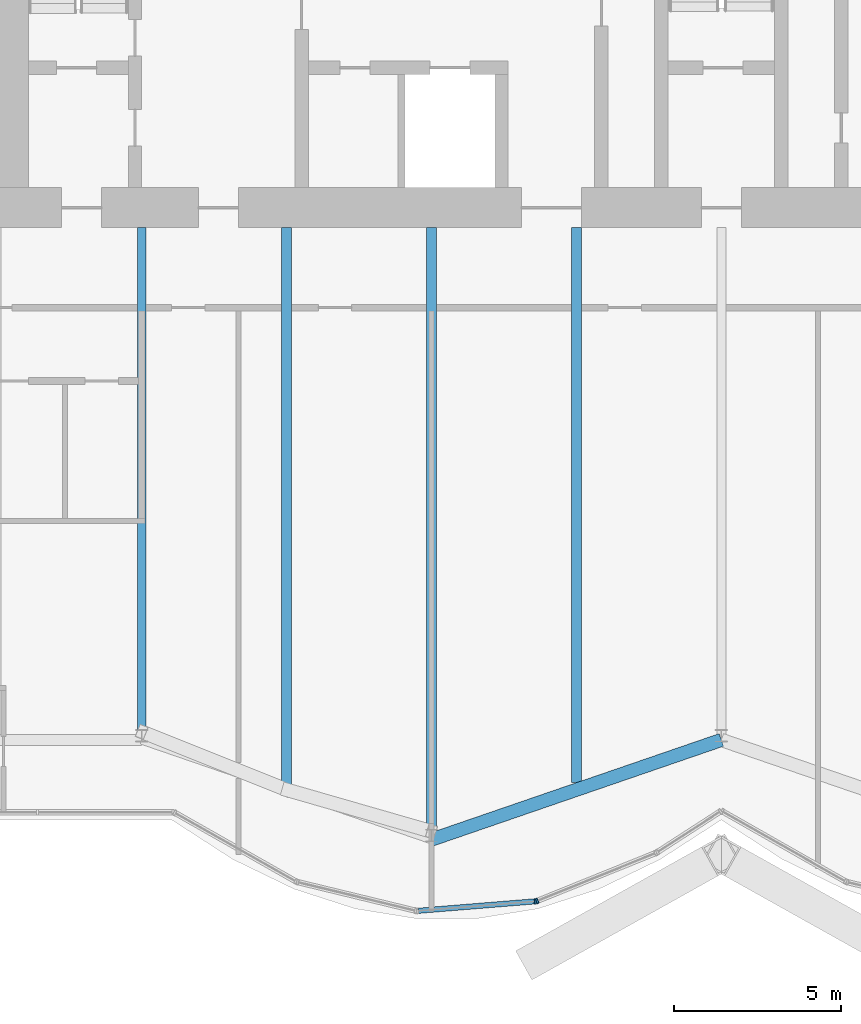
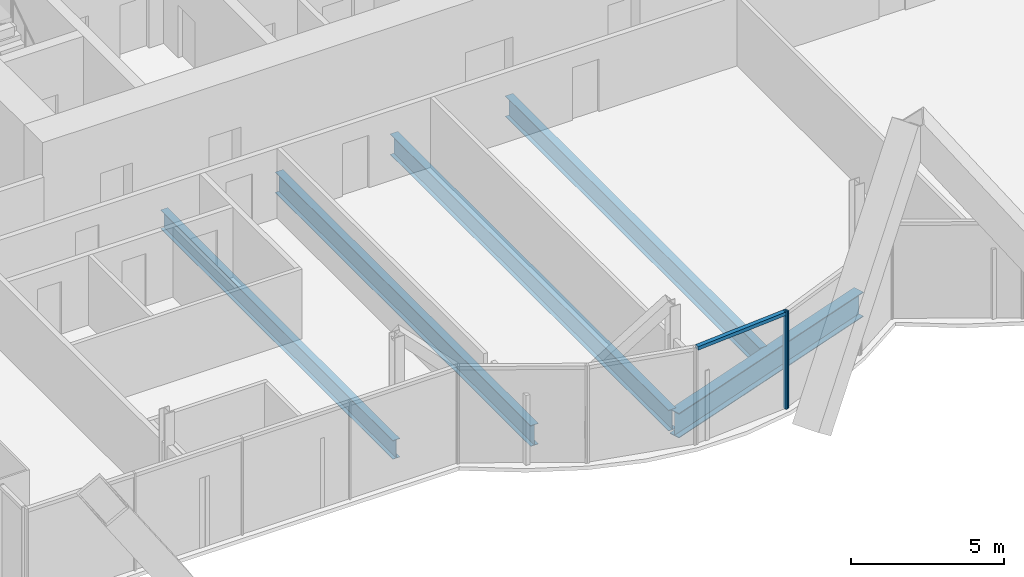
# One storey, part 6 of 20: 5 beams, 3 members, 1 element without a shape of its own.
"""IFC4 building model written with IfcOpenShell, lengths in metres."""

from ifc_helpers import new_model, si_unit, direction, frame, origin, origin_2d, place, context, subcontext, project, spatial, rectangle, i_section, extrude, material, material_profile, profile_set, type_object, element, aggregate, save


model = new_model("IFC4")

# Units and contexts
model_context = context("Model", 3, precision=1e-05, world=origin(), true_north=direction((0.0, 1.0)))
body_context = subcontext(model_context, "Body", "Model", "MODEL_VIEW")
ifc_project = project(units=[si_unit("LENGTHUNIT", "METRE"), si_unit("AREAUNIT", "SQUARE_METRE"), si_unit("VOLUMEUNIT", "CUBIC_METRE"), si_unit("PLANEANGLEUNIT", "RADIAN"), si_unit("MASSUNIT", "GRAM", prefix="KILO")], contexts=[model_context])

# Site, building, storey
site_placement = place(None, origin())
site = spatial("IfcSite", under=ifc_project, at=site_placement, CompositionType="ELEMENT")
building_placement = place(site_placement, origin())
building = spatial("IfcBuilding", under=site, at=building_placement, Name="Bicima Exchange Tower", CompositionType="ELEMENT")
storey_placement = place(building_placement, frame((0.0, 0.0, 231.89990234375)))
storey = spatial("IfcBuildingStorey", under=building, at=storey_placement, Name="L52", CompositionType="ELEMENT", Elevation=231.89990234375)

# Beams
ifc_material_1 = material(Name="Steel ASTM A992 Gr 50", Category="steel")
ifc_material_profile_1 = material_profile(ifc_material_1, i_section(OverallWidth=0.2666015625, OverallDepth=0.75439453125, WebThickness=0.01318359375, FlangeThickness=0.01708984375, at=origin_2d()))
ifc_profile_set_1 = profile_set([ifc_material_profile_1], Name="Steel ASTM A992 Gr 50")
beam_type_1 = type_object("IfcBeamType", Name="Floor beam W30x99", PredefinedType="JOIST", material=ifc_profile_set_1)
beam_1_placement = place(storey_placement, frame((-17.39990234375, -13.0, -0.527099609375), z_axis=(0.0, -1.0, 0.0), x_axis=(1.0, 0.0, 0.0)))
element("IfcBeam", 1, at=beam_1_placement, inside=storey, type_object=beam_type_1, Name="Floor beam", PredefinedType="JOIST", context=body_context, shape_type="SweptSolid", body=[
    extrude(i_section(OverallWidth=0.2666015625, OverallDepth=0.75439453125, WebThickness=0.01318359375, FlangeThickness=0.01708984375, at=origin_2d()), origin(), (0.0, 0.0, 1.0), 15.21337890625),
])
ifc_material_profile_2 = material_profile(ifc_material_1, i_section(OverallWidth=0.2919921875, OverallDepth=0.835693359375, WebThickness=0.013916015625, FlangeThickness=0.018798828125, at=origin_2d()))
ifc_profile_set_2 = profile_set([ifc_material_profile_2], Name="Steel ASTM A992 Gr 50")
beam_type_2 = type_object("IfcBeamType", Name="Floor beam W33x118", PredefinedType="JOIST", material=ifc_profile_set_2)
beam_2_placement = place(storey_placement, frame((-13.050048828125, -13.0, -0.567626953125), z_axis=(0.0, -1.0, 0.0), x_axis=(1.0, 0.0, 0.0)))
element("IfcBeam", 2, at=beam_2_placement, inside=storey, type_object=beam_type_2, Name="Floor beam", PredefinedType="JOIST", context=body_context, shape_type="SweptSolid", body=[
    extrude(i_section(OverallWidth=0.2919921875, OverallDepth=0.835693359375, WebThickness=0.013916015625, FlangeThickness=0.018798828125, at=origin_2d()), origin(), (0.0, 0.0, 1.0), 16.73583984375),
])
beam_3_placement = place(storey_placement, frame((-8.699951171875, -13.0, -0.567626953125), z_axis=(0.0, -1.0, 0.0), x_axis=(1.0, 0.0, 0.0)))
element("IfcBeam", 3, at=beam_3_placement, inside=storey, type_object=beam_type_2, Name="Floor beam", PredefinedType="JOIST", context=body_context, shape_type="SweptSolid", body=[
    extrude(i_section(OverallWidth=0.2919921875, OverallDepth=0.835693359375, WebThickness=0.013916015625, FlangeThickness=0.018798828125, at=origin_2d()), origin(), (0.0, 0.0, 1.0), 18.2314453125),
])
beam_4_placement = place(storey_placement, frame((-4.35009765625, -13.0, -0.567626953125), z_axis=(0.0, -1.0, 0.0), x_axis=(1.0, 0.0, 0.0)))
element("IfcBeam", 4, at=beam_4_placement, inside=storey, type_object=beam_type_2, Name="Floor beam", PredefinedType="JOIST", context=body_context, shape_type="SweptSolid", body=[
    extrude(i_section(OverallWidth=0.2919921875, OverallDepth=0.835693359375, WebThickness=0.013916015625, FlangeThickness=0.018798828125, at=origin_2d()), origin(), (0.0, 0.0, 1.0), 16.6591796875),
])
ifc_material_profile_3 = material_profile(ifc_material_1, i_section(OverallWidth=0.4013671875, OverallDepth=0.990478515625, WebThickness=0.0166015625, FlangeThickness=0.031005859375, at=origin_2d()))
ifc_profile_set_3 = profile_set([ifc_material_profile_3], Name="Steel ASTM A992 Gr 50")
beam_type_3 = type_object("IfcBeamType", Name="Front girder W40x215", PredefinedType="BEAM", material=ifc_profile_set_3)
beam_5_placement = place(storey_placement, frame((-8.699951171875, -31.3671875, -0.645263671875), z_axis=(0.945666456746, 0.325138359143, 0.0), x_axis=(-0.325138359143, 0.945666456746, 0.0)))
element("IfcBeam", 5, at=beam_5_placement, inside=storey, type_object=beam_type_3, Name="Front girder", PredefinedType="BEAM", context=body_context, shape_type="SweptSolid", body=[
    extrude(i_section(OverallWidth=0.4013671875, OverallDepth=0.990478515625, WebThickness=0.0166015625, FlangeThickness=0.031005859375, at=origin_2d()), origin(), (0.0, 0.0, 1.0), 9.19970703125),
])

# Curtain wall, members
ifc_material_2 = material(Name="Anodised bronze aluminium", Category="aluminium")
curtain_wall_type = type_object("IfcCurtainWallType", Name="Front glass wall", PredefinedType="NOTDEFINED", material=ifc_material_2)
curtain_wall_placement = place(storey_placement, origin())
curtain_wall = element("IfcCurtainWall", 6, at=curtain_wall_placement, inside=storey, type_object=curtain_wall_type, Name="Front glass wall L52 run 6", PredefinedType="NOTDEFINED")
ifc_material_profile_4 = material_profile(ifc_material_2, rectangle(XDim=0.159912109375, YDim=0.06005859375, at=origin_2d()))
ifc_profile_set_4 = profile_set([ifc_material_profile_4], Name="Anodised bronze aluminium")
member_type_1 = type_object("IfcMemberType", Name="Front glass wall mullion 60 x 160", PredefinedType="MULLION", material=ifc_profile_set_4)
member_1_placement = place(storey_placement, frame((-5.583984375, -33.220703125, 0.0), z_axis=(0.0, 0.0, 1.0), x_axis=(-0.080588612633, 0.99674744821, 0.0)))
member_1 = element("IfcMember", 7, at=member_1_placement, type_object=member_type_1, Name="Front glass wall mullion 2", PredefinedType="MULLION", context=body_context, shape_type="SweptSolid", body=[
    extrude(rectangle(XDim=0.159912109375, YDim=0.06005859375, at=origin_2d()), origin(), (0.0, 0.0, 1.0), 3.900146484375),
])
member_2_placement = place(storey_placement, frame((-5.526123046875, -33.207275390625, 0.0), z_axis=(0.0, 0.0, 1.0), x_axis=(-0.374705304, 0.92714396679, 0.0)))
member_2 = element("IfcMember", 8, at=member_2_placement, type_object=member_type_1, Name="Front glass wall mullion 1", PredefinedType="MULLION", context=body_context, shape_type="SweptSolid", body=[
    extrude(rectangle(XDim=0.159912109375, YDim=0.06005859375, at=origin_2d()), origin(), (0.0, 0.0, 1.0), 3.900146484375),
])
ifc_material_profile_5 = material_profile(ifc_material_2, rectangle(XDim=0.159912109375, YDim=0.139892578125, at=origin_2d()))
ifc_profile_set_5 = profile_set([ifc_material_profile_5], Name="Anodised bronze aluminium")
member_type_2 = type_object("IfcMemberType", Name="Front glass wall transom 140 x 160", PredefinedType="USERDEFINED", material=ifc_profile_set_5)
member_3_placement = place(storey_placement, frame((-9.08837890625, -33.504150390625, 3.830078125), z_axis=(0.9967456465, 0.080610893699, 0.0), x_axis=(-0.080610893699, 0.9967456465, 0.0)))
member_3 = element("IfcMember", 9, at=member_3_placement, type_object=member_type_2, Name="Front glass wall transom 1.1", ObjectType="TRANSOM", PredefinedType="USERDEFINED", context=body_context, shape_type="SweptSolid", body=[
    extrude(rectangle(XDim=0.159912109375, YDim=0.139892578125, at=origin_2d()), origin(), (0.0, 0.0, 1.0), 3.48583984375),
])
aggregate(curtain_wall, [member_1, member_3, member_2])

save(model, "model.ifc")
